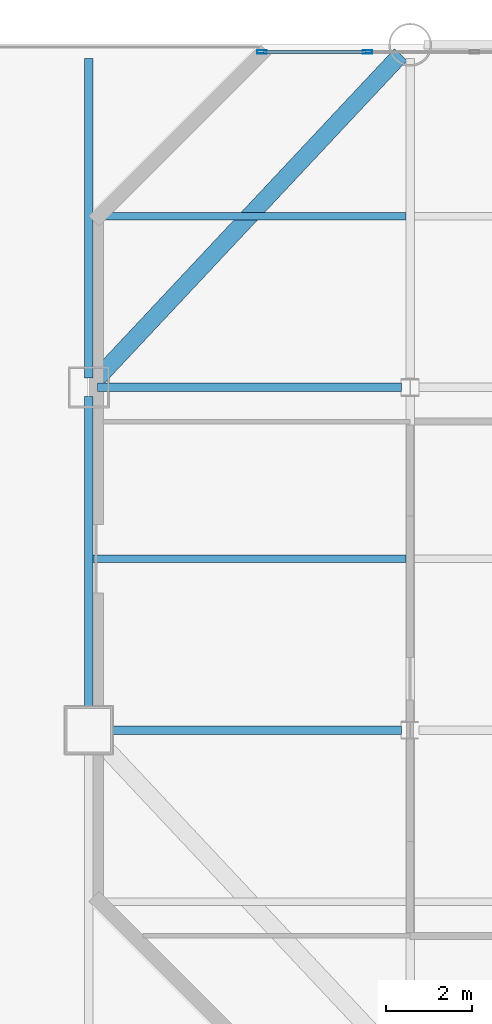
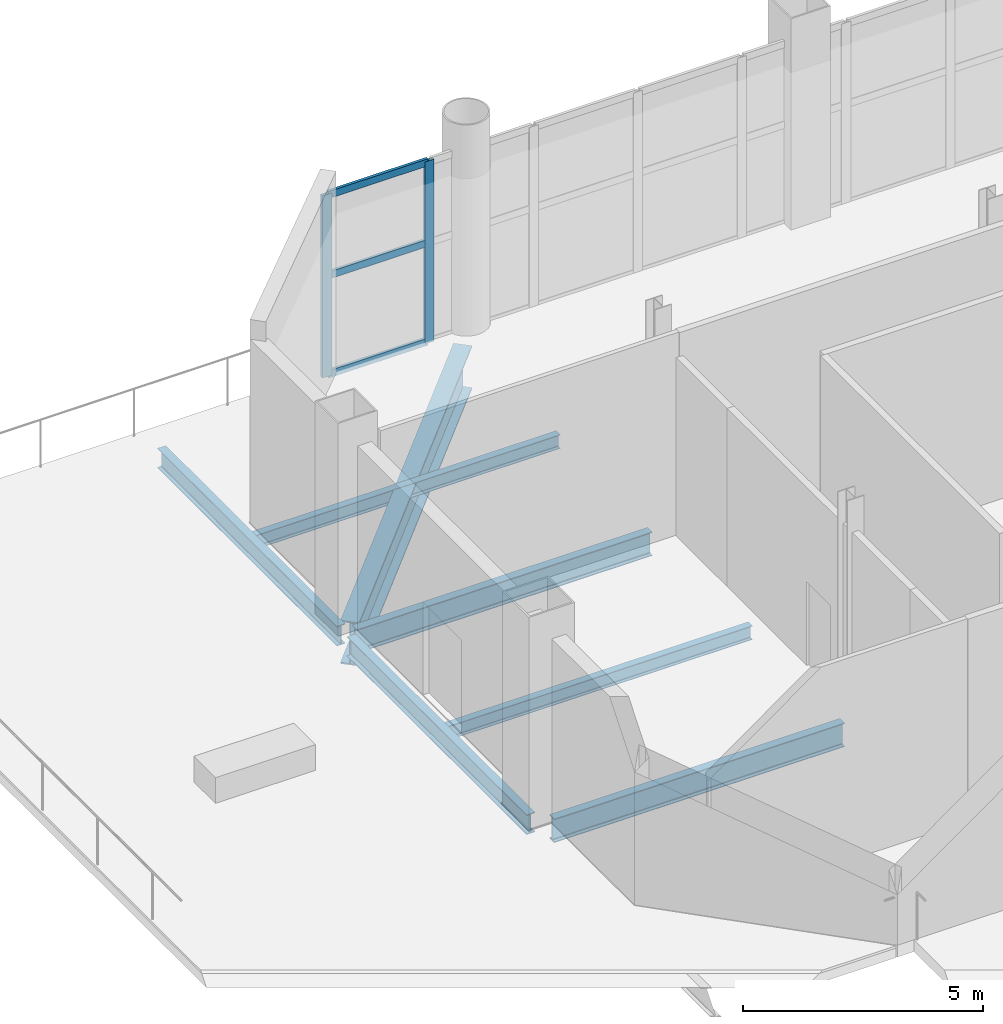
# One storey, part 12 of 22: 7 beams, 5 members, 1 element without a shape of its own.
"""IFC4 building model written with IfcOpenShell, lengths in metres."""

from ifc_helpers import new_model, si_unit, direction, frame, origin, origin_2d, place, context, subcontext, project, spatial, hollow_rectangle, i_section, extrude, material, layer, layer_set, material_profile, profile_set, type_object, element, aggregate, save


model = new_model("IFC4")

# Units and contexts
model_context = context("Model", 3, precision=1e-05, world=origin(), true_north=direction((0.0, 1.0)))
body_context = subcontext(model_context, "Body", "Model", "MODEL_VIEW")
ifc_project = project(units=[si_unit("LENGTHUNIT", "METRE"), si_unit("AREAUNIT", "SQUARE_METRE"), si_unit("VOLUMEUNIT", "CUBIC_METRE"), si_unit("PLANEANGLEUNIT", "RADIAN"), si_unit("MASSUNIT", "GRAM", prefix="KILO")], contexts=[model_context])

# Site, building, storey
site_placement = place(None, origin())
site = spatial("IfcSite", under=ifc_project, at=site_placement, CompositionType="ELEMENT")
building_placement = place(site_placement, origin())
building = spatial("IfcBuilding", under=site, at=building_placement, Name="Qianrong Seaharbour Tower", CompositionType="ELEMENT")
storey_placement = place(building_placement, frame((0.0, 0.0, 113.60009765625)))
storey = spatial("IfcBuildingStorey", under=building, at=storey_placement, Name="L27", CompositionType="ELEMENT", Elevation=113.60009765625)

# Beams
ifc_material_1 = material(Name="Structural steel SN490B", Category="steel")
ifc_material_profile_1 = material_profile(ifc_material_1, i_section(OverallWidth=0.199951171875, OverallDepth=0.60009765625, WebThickness=0.010986328125, FlangeThickness=0.01708984375, FilletRadius=0.02197265625, at=origin_2d()), Name="H600x200x11x17")
ifc_profile_set_1 = profile_set([ifc_material_profile_1], Name="Structural steel SN490B")
beam_type_1 = type_object("IfcBeamType", Name="BM-G-600", PredefinedType="BEAM", material=ifc_profile_set_1)
beam_1_placement = place(storey_placement, frame((9.320068359375, 36.0, -0.60009765625), z_axis=(1.0, 0.0, 0.0), x_axis=(0.0, 1.0, 0.0)))
element("IfcBeam", 1, at=beam_1_placement, inside=storey, type_object=beam_type_1, Name="L27 Primary Girder GF G2-G3", PredefinedType="BEAM", context=body_context, shape_type="SweptSolid", body=[
    extrude(i_section(OverallWidth=0.199951171875, OverallDepth=0.60009765625, WebThickness=0.010986328125, FlangeThickness=0.01708984375, FilletRadius=0.02197265625, at=origin_2d()), origin(), (0.0, 0.0, 1.0), 6.976318359375),
])
beam_2_placement = place(storey_placement, frame((9.20361328125, 44.0, -0.60009765625), z_axis=(1.0, 0.0, 0.0), x_axis=(0.0, 1.0, 0.0)))
element("IfcBeam", 2, at=beam_2_placement, inside=storey, type_object=beam_type_1, Name="L27 Primary Girder GG G2-G3", PredefinedType="BEAM", context=body_context, shape_type="SweptSolid", body=[
    extrude(i_section(OverallWidth=0.199951171875, OverallDepth=0.60009765625, WebThickness=0.010986328125, FlangeThickness=0.01708984375, FilletRadius=0.02197265625, at=origin_2d()), origin(), (0.0, 0.0, 1.0), 7.0927734375),
])
ifc_material_2 = material(Name="Structural steel SN400B", Category="steel")
ifc_material_profile_2 = material_profile(ifc_material_2, i_section(OverallWidth=0.175048828125, OverallDepth=0.35009765625, WebThickness=0.007080078125, FlangeThickness=0.010986328125, FilletRadius=0.013916015625, at=origin_2d()), Name="H350x175x7x11")
ifc_profile_set_2 = profile_set([ifc_material_profile_2], Name="Structural steel SN400B")
beam_type_2 = type_object("IfcBeamType", Name="BM-J-350", PredefinedType="JOIST", material=ifc_profile_set_2)
for number, where, z_axis, x_axis, name in (
    (3, (9.10009765625, 40.0, -0.47509765625), (1.0, 0.0, 0.0), (0.0, 1.0, 0.0), "L27 Composite Floor Joist G2-G3/GF-GG"),
    (4, (9.10009765625, 48.0, -0.47509765625), (1.0, 0.0, 0.0), (0.0, 1.0, 0.0), "L27 Composite Floor Joist G2-G3/GG-GH"),
):
    element("IfcBeam", number, at=place(storey_placement, frame(where, z_axis=z_axis, x_axis=x_axis)), inside=storey, type_object=beam_type_2, Name=name, PredefinedType="JOIST", context=body_context, shape_type="SweptSolid", body=[
        extrude(i_section(OverallWidth=0.175048828125, OverallDepth=0.35009765625, WebThickness=0.007080078125, FlangeThickness=0.010986328125, FilletRadius=0.013916015625, at=origin_2d()), origin(), (0.0, 0.0, 1.0), 7.2998046875),
    ])
ifc_material_profile_3 = material_profile(ifc_material_1, i_section(OverallWidth=0.199951171875, OverallDepth=0.5, WebThickness=0.010009765625, FlangeThickness=0.01611328125, FilletRadius=0.02001953125, at=origin_2d()), Name="H500x200x10x16")
ifc_profile_set_3 = profile_set([ifc_material_profile_3], Name="Structural steel SN490B")
beam_type_3 = type_object("IfcBeamType", Name="BM-SP-500", PredefinedType="SPANDREL", material=ifc_profile_set_3)
for number, where, z_axis, x_axis, name in (
    (5, (9.0, 36.320068359375, -0.550048828125), (0.0, 1.0, 0.0), (-1.0, 0.0, 0.0), "L27 Spandrel Girder G2 GF-GG"),
    (6, (9.0, 44.214111328125, -0.550048828125), (0.0, 1.0, 0.0), (-1.0, 0.0, 0.0), "L27 Spandrel Girder G2 GG-GH"),
):
    element("IfcBeam", number, at=place(storey_placement, frame(where, z_axis=z_axis, x_axis=x_axis)), inside=storey, type_object=beam_type_3, Name=name, PredefinedType="SPANDREL", context=body_context, shape_type="SweptSolid", body=[
        extrude(i_section(OverallWidth=0.199951171875, OverallDepth=0.5, WebThickness=0.010009765625, FlangeThickness=0.01611328125, FilletRadius=0.02001953125, at=origin_2d()), origin(), (0.0, 0.0, 1.0), 7.4658203125),
    ])
ifc_material_profile_4 = material_profile(ifc_material_1, i_section(OverallWidth=0.39990234375, OverallDepth=1.10009765625, WebThickness=0.02001953125, FlangeThickness=0.035888671875, at=origin_2d()), Name="BH1100x400x20x36")
ifc_profile_set_4 = profile_set([ifc_material_profile_4], Name="Structural steel SN490B")
beam_type_4 = type_object("IfcBeamType", Name="BM-TG-1100", PredefinedType="BEAM", material=ifc_profile_set_4)
beam_3_placement = place(storey_placement, frame((16.28125, 51.7666015625, -0.85009765625), z_axis=(-0.683947420573, -0.729531305628, 0.0), x_axis=(0.729531305628, -0.683947420573, 0.0)))
element("IfcBeam", 7, at=beam_3_placement, inside=storey, type_object=beam_type_4, Name="L27 Chamfer Corner Spandrel Girder G2/GH", PredefinedType="BEAM", context=body_context, shape_type="SweptSolid", body=[
    extrude(i_section(OverallWidth=0.39990234375, OverallDepth=1.10009765625, WebThickness=0.02001953125, FlangeThickness=0.035888671875, at=origin_2d()), origin(), (0.0, 0.0, 1.0), 10.326171875),
])

# Curtain wall, members
ifc_material_3 = material(Name="Anodised aluminium 6063-T6 and laminated low-e glass", Category="aluminium")
ifc_layer = layer(ifc_material_3, 0.2099609375)
ifc_layer_set = layer_set([ifc_layer], Name="Anodised aluminium 6063-T6 and laminated low-e glass")
curtain_wall_type = type_object("IfcCurtainWallType", Name="CW-SYS-2", PredefinedType="NOTDEFINED", material=ifc_layer_set)
curtain_wall_placement = place(storey_placement, origin())
curtain_wall = element("IfcCurtainWall", 8, at=curtain_wall_placement, inside=storey, type_object=curtain_wall_type, Name="L27 Sky-Lobby Feature Curtain Wall NORTH_WING", PredefinedType="NOTDEFINED")
ifc_material_4 = material(Name="Extruded aluminium 6063-T6", Category="aluminium")
ifc_material_profile_5 = material_profile(ifc_material_4, hollow_rectangle(XDim=0.080078125, YDim=0.219970703125, WallThickness=0.0048828125, at=origin_2d()), Name="ALU-MUL-220x80x5")
ifc_profile_set_5 = profile_set([ifc_material_profile_5], Name="Extruded aluminium 6063-T6")
member_type_1 = type_object("IfcMemberType", Name="CW-MUL-220", PredefinedType="MULLION", material=ifc_profile_set_5)
member_1_placement = place(storey_placement, frame((13.0400390625, 51.830078125, 0.0), z_axis=(0.0, 0.0, 1.0), x_axis=(0.0, 1.0, 0.0)))
member_1 = element("IfcMember", 9, at=member_1_placement, type_object=member_type_1, Name="CW-2 mullion 1", PredefinedType="MULLION", context=body_context, shape_type="SweptSolid", body=[
    extrude(hollow_rectangle(XDim=0.080078125, YDim=0.219970703125, WallThickness=0.0048828125, at=origin_2d()), origin(), (0.0, 0.0, 1.0), 4.625),
])
member_2_placement = place(storey_placement, frame((15.501708984375, 51.830078125, 0.0), z_axis=(0.0, 0.0, 1.0), x_axis=(0.0, 1.0, 0.0)))
member_2 = element("IfcMember", 10, at=member_2_placement, type_object=member_type_1, Name="CW-2 mullion 2", PredefinedType="MULLION", context=body_context, shape_type="SweptSolid", body=[
    extrude(hollow_rectangle(XDim=0.080078125, YDim=0.219970703125, WallThickness=0.0048828125, at=origin_2d()), origin(), (0.0, 0.0, 1.0), 4.625),
])
ifc_material_profile_6 = material_profile(ifc_material_4, hollow_rectangle(XDim=0.070068359375, YDim=0.179931640625, WallThickness=0.00390625, at=origin_2d()), Name="ALU-TRN-180x70x4")
ifc_profile_set_6 = profile_set([ifc_material_profile_6], Name="Extruded aluminium 6063-T6")
member_type_2 = type_object("IfcMemberType", Name="CW-TRN-180", PredefinedType="USERDEFINED", material=ifc_profile_set_6)
member_3_placement = place(storey_placement, frame((13.080078125, 51.830078125, 0.034912109375), z_axis=(1.0, 0.0, 0.0), x_axis=(0.0, 1.0, 0.0)))
member_3 = element("IfcMember", 11, at=member_3_placement, type_object=member_type_2, Name="CW-2 transom 1.1", ObjectType="TRANSOM", PredefinedType="USERDEFINED", context=body_context, shape_type="SweptSolid", body=[
    extrude(hollow_rectangle(XDim=0.070068359375, YDim=0.179931640625, WallThickness=0.00390625, at=origin_2d()), origin(), (0.0, 0.0, 1.0), 2.3818359375),
])
member_4_placement = place(storey_placement, frame((13.080078125, 51.830078125, 2.543701171875), z_axis=(1.0, 0.0, 0.0), x_axis=(0.0, 1.0, 0.0)))
member_4 = element("IfcMember", 12, at=member_4_placement, type_object=member_type_2, Name="CW-2 transom 1.2", ObjectType="TRANSOM", PredefinedType="USERDEFINED", context=body_context, shape_type="SweptSolid", body=[
    extrude(hollow_rectangle(XDim=0.070068359375, YDim=0.179931640625, WallThickness=0.00390625, at=origin_2d()), origin(), (0.0, 0.0, 1.0), 2.3818359375),
])
member_5_placement = place(storey_placement, frame((13.080078125, 51.830078125, 4.58984375), z_axis=(1.0, 0.0, 0.0), x_axis=(0.0, 1.0, 0.0)))
member_5 = element("IfcMember", 13, at=member_5_placement, type_object=member_type_2, Name="CW-2 transom 1.3", ObjectType="TRANSOM", PredefinedType="USERDEFINED", context=body_context, shape_type="SweptSolid", body=[
    extrude(hollow_rectangle(XDim=0.070068359375, YDim=0.179931640625, WallThickness=0.00390625, at=origin_2d()), origin(), (0.0, 0.0, 1.0), 2.3818359375),
])
aggregate(curtain_wall, [member_1, member_2, member_3, member_4, member_5])

save(model, "model.ifc")
